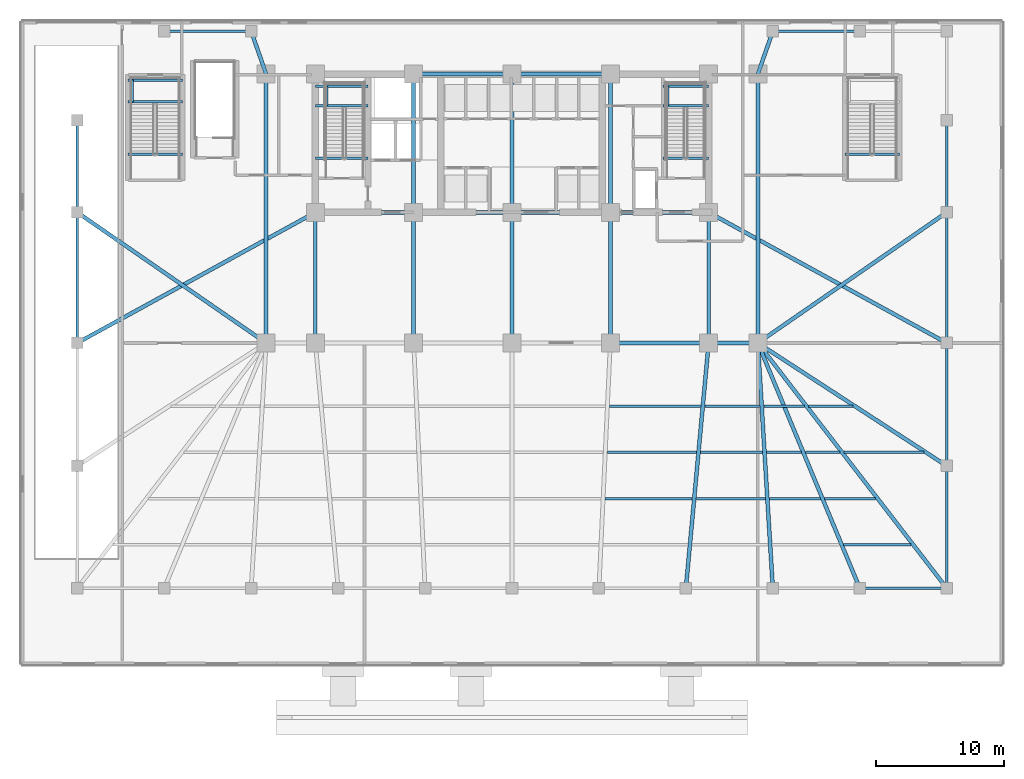
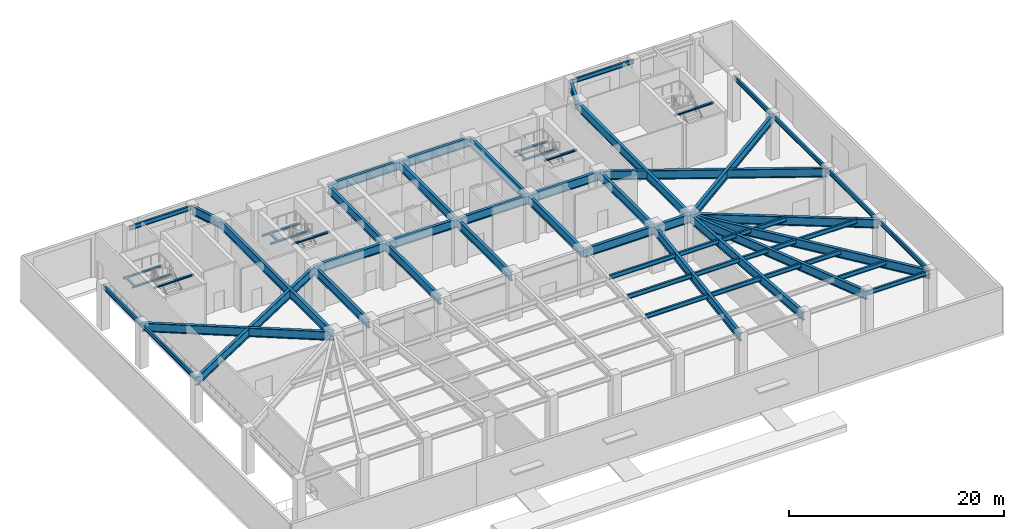
# One storey, part 2 of 15: 65 beams.
"""IFC4 building model written with IfcOpenShell, lengths in metres."""

from ifc_helpers import new_model, si_unit, direction, frame, origin, origin_2d, place, context, subcontext, project, spatial, i_section, extrude, material, material_profile, profile_set, type_object, element, save


model = new_model("IFC4")

# Units and contexts
model_context = context("Model", 3, precision=1e-05, world=origin(), true_north=direction((0.0, 1.0)))
body_context = subcontext(model_context, "Body", "Model", "MODEL_VIEW")
ifc_project = project(units=[si_unit("LENGTHUNIT", "METRE"), si_unit("AREAUNIT", "SQUARE_METRE"), si_unit("VOLUMEUNIT", "CUBIC_METRE"), si_unit("PLANEANGLEUNIT", "RADIAN"), si_unit("MASSUNIT", "GRAM", prefix="KILO")], contexts=[model_context])

# Site, building, storey
site_placement = place(None, origin())
site = spatial("IfcSite", under=ifc_project, at=site_placement, CompositionType="ELEMENT")
building_placement = place(site_placement, origin())
building = spatial("IfcBuilding", under=site, at=building_placement, Name="Yelkora Congress Tower", CompositionType="ELEMENT")
storey_placement = place(building_placement, origin())
storey = spatial("IfcBuildingStorey", under=building, at=storey_placement, Name="L00", CompositionType="ELEMENT", Elevation=0.0)

# Beams
ifc_material_1 = material(Name="Steel S460M", Category="steel")
ifc_material_profile_1 = material_profile(ifc_material_1, i_section(OverallWidth=0.300048828125, OverallDepth=1.0, WebThickness=0.01904296875, FlangeThickness=0.035888671875, FilletRadius=0.030029296875, at=origin_2d()), Name="HEB 1000")
ifc_profile_set_1 = profile_set([ifc_material_profile_1], Name="Steel S460M")
beam_type_1 = type_object("IfcBeamType", Name="BM-HALL-HEB1000", PredefinedType="BEAM", material=ifc_profile_set_1)
beam_1_placement = place(storey_placement, frame((46.080078125, 25.199951171875, 4.43994140625), z_axis=(1.0, 0.0, 0.0), x_axis=(0.0, 1.0, 0.0)))
element("IfcBeam", 1, at=beam_1_placement, inside=storey, type_object=beam_type_1, Name="L00 Spine Grid D Girder 5", PredefinedType="BEAM", context=body_context, shape_type="SweptSolid", body=[
    extrude(i_section(OverallWidth=0.300048828125, OverallDepth=1.0, WebThickness=0.01904296875, FlangeThickness=0.035888671875, FilletRadius=0.030029296875, at=origin_2d()), origin(), (0.0, 0.0, 1.0), 7.679931640625),
])
beam_2_placement = place(storey_placement, frame((53.760009765625, 25.199951171875, 4.43994140625), z_axis=(1.0, 0.0, 0.0), x_axis=(0.0, 1.0, 0.0)))
element("IfcBeam", 2, at=beam_2_placement, inside=storey, type_object=beam_type_1, Name="L00 Spine Grid D Girder 6", PredefinedType="BEAM", context=body_context, shape_type="SweptSolid", body=[
    extrude(i_section(OverallWidth=0.300048828125, OverallDepth=1.0, WebThickness=0.01904296875, FlangeThickness=0.035888671875, FilletRadius=0.030029296875, at=origin_2d()), origin(), (0.0, 0.0, 1.0), 3.840087890625),
])
beam_3_placement = place(storey_placement, frame((30.719970703125, 46.199951171875, 4.43994140625), z_axis=(1.0, 0.0, 0.0), x_axis=(0.0, 1.0, 0.0)))
element("IfcBeam", 3, at=beam_3_placement, inside=storey, type_object=beam_type_1, Name="L00 Core North Girder 3", PredefinedType="BEAM", context=body_context, shape_type="SweptSolid", body=[
    extrude(i_section(OverallWidth=0.300048828125, OverallDepth=1.0, WebThickness=0.01904296875, FlangeThickness=0.035888671875, FilletRadius=0.030029296875, at=origin_2d()), origin(), (0.0, 0.0, 1.0), 7.679931640625),
])
beam_4_placement = place(storey_placement, frame((38.39990234375, 46.199951171875, 4.43994140625), z_axis=(1.0, 0.0, 0.0), x_axis=(0.0, 1.0, 0.0)))
element("IfcBeam", 4, at=beam_4_placement, inside=storey, type_object=beam_type_1, Name="L00 Core North Girder 4", PredefinedType="BEAM", context=body_context, shape_type="SweptSolid", body=[
    extrude(i_section(OverallWidth=0.300048828125, OverallDepth=1.0, WebThickness=0.01904296875, FlangeThickness=0.035888671875, FilletRadius=0.030029296875, at=origin_2d()), origin(), (0.0, 0.0, 1.0), 7.68017578125),
])
for number, where, z_axis, x_axis, name in (
    (5, (23.0400390625, 35.39990234375, 4.43994140625), (1.0, 0.0, 0.0), (0.0, 1.0, 0.0), "L00 Core South Girder 1"),
    (6, (30.719970703125, 35.39990234375, 4.43994140625), (1.0, 0.0, 0.0), (0.0, 1.0, 0.0), "L00 Core South Girder 2"),
):
    element("IfcBeam", number, at=place(storey_placement, frame(where, z_axis=z_axis, x_axis=x_axis)), inside=storey, type_object=beam_type_1, Name=name, PredefinedType="BEAM", context=body_context, shape_type="SweptSolid", body=[
        extrude(i_section(OverallWidth=0.300048828125, OverallDepth=1.0, WebThickness=0.01904296875, FlangeThickness=0.035888671875, FilletRadius=0.030029296875, at=origin_2d()), origin(), (0.0, 0.0, 1.0), 7.679931640625),
    ])
beam_5_placement = place(storey_placement, frame((38.39990234375, 35.39990234375, 4.43994140625), z_axis=(1.0, 0.0, 0.0), x_axis=(0.0, 1.0, 0.0)))
element("IfcBeam", 7, at=beam_5_placement, inside=storey, type_object=beam_type_1, Name="L00 Core South Girder 3", PredefinedType="BEAM", context=body_context, shape_type="SweptSolid", body=[
    extrude(i_section(OverallWidth=0.300048828125, OverallDepth=1.0, WebThickness=0.01904296875, FlangeThickness=0.035888671875, FilletRadius=0.030029296875, at=origin_2d()), origin(), (0.0, 0.0, 1.0), 7.68017578125),
])
beam_6_placement = place(storey_placement, frame((46.080078125, 35.39990234375, 4.43994140625), z_axis=(1.0, 0.0, 0.0), x_axis=(0.0, 1.0, 0.0)))
element("IfcBeam", 8, at=beam_6_placement, inside=storey, type_object=beam_type_1, Name="L00 Core South Girder 4", PredefinedType="BEAM", context=body_context, shape_type="SweptSolid", body=[
    extrude(i_section(OverallWidth=0.300048828125, OverallDepth=1.0, WebThickness=0.01904296875, FlangeThickness=0.035888671875, FilletRadius=0.030029296875, at=origin_2d()), origin(), (0.0, 0.0, 1.0), 7.679931640625),
])
for number, where, z_axis, x_axis, name in (
    (9, (23.0400390625, 25.199951171875, 4.43994140625), (0.0, 1.0, 0.0), (-1.0, 0.0, 0.0), "L00 Core Tie Girder MC-D1"),
    (10, (30.719970703125, 25.199951171875, 4.43994140625), (0.0, 1.0, 0.0), (-1.0, 0.0, 0.0), "L00 Core Tie Girder MC-D2"),
):
    element("IfcBeam", number, at=place(storey_placement, frame(where, z_axis=z_axis, x_axis=x_axis)), inside=storey, type_object=beam_type_1, Name=name, PredefinedType="BEAM", context=body_context, shape_type="SweptSolid", body=[
        extrude(i_section(OverallWidth=0.300048828125, OverallDepth=1.0, WebThickness=0.01904296875, FlangeThickness=0.035888671875, FilletRadius=0.030029296875, at=origin_2d()), origin(), (0.0, 0.0, 1.0), 10.199951171875),
    ])
beam_7_placement = place(storey_placement, frame((30.719970703125, 35.39990234375, 4.43994140625), z_axis=(0.0, 1.0, 0.0), x_axis=(-1.0, 0.0, 0.0)))
element("IfcBeam", 11, at=beam_7_placement, inside=storey, type_object=beam_type_1, Name="L00 Core Tie Girder MC-S2", PredefinedType="BEAM", context=body_context, shape_type="SweptSolid", body=[
    extrude(i_section(OverallWidth=0.300048828125, OverallDepth=1.0, WebThickness=0.01904296875, FlangeThickness=0.035888671875, FilletRadius=0.030029296875, at=origin_2d()), origin(), (0.0, 0.0, 1.0), 10.800048828125),
])
beam_8_placement = place(storey_placement, frame((38.39990234375, 25.199951171875, 4.43994140625), z_axis=(0.0, 1.0, 0.0), x_axis=(-1.0, 0.0, 0.0)))
element("IfcBeam", 12, at=beam_8_placement, inside=storey, type_object=beam_type_1, Name="L00 Core Tie Girder MC-D3", PredefinedType="BEAM", context=body_context, shape_type="SweptSolid", body=[
    extrude(i_section(OverallWidth=0.300048828125, OverallDepth=1.0, WebThickness=0.01904296875, FlangeThickness=0.035888671875, FilletRadius=0.030029296875, at=origin_2d()), origin(), (0.0, 0.0, 1.0), 10.199951171875),
])
beam_9_placement = place(storey_placement, frame((38.39990234375, 35.39990234375, 4.43994140625), z_axis=(0.0, 1.0, 0.0), x_axis=(-1.0, 0.0, 0.0)))
element("IfcBeam", 13, at=beam_9_placement, inside=storey, type_object=beam_type_1, Name="L00 Core Tie Girder MC-S3", PredefinedType="BEAM", context=body_context, shape_type="SweptSolid", body=[
    extrude(i_section(OverallWidth=0.300048828125, OverallDepth=1.0, WebThickness=0.01904296875, FlangeThickness=0.035888671875, FilletRadius=0.030029296875, at=origin_2d()), origin(), (0.0, 0.0, 1.0), 10.800048828125),
])
beam_10_placement = place(storey_placement, frame((46.080078125, 25.199951171875, 4.43994140625), z_axis=(0.0, 1.0, 0.0), x_axis=(-1.0, 0.0, 0.0)))
element("IfcBeam", 14, at=beam_10_placement, inside=storey, type_object=beam_type_1, Name="L00 Core Tie Girder MC-D4", PredefinedType="BEAM", context=body_context, shape_type="SweptSolid", body=[
    extrude(i_section(OverallWidth=0.300048828125, OverallDepth=1.0, WebThickness=0.01904296875, FlangeThickness=0.035888671875, FilletRadius=0.030029296875, at=origin_2d()), origin(), (0.0, 0.0, 1.0), 10.199951171875),
])
beam_11_placement = place(storey_placement, frame((46.080078125, 35.39990234375, 4.43994140625), z_axis=(0.0, 1.0, 0.0), x_axis=(-1.0, 0.0, 0.0)))
element("IfcBeam", 15, at=beam_11_placement, inside=storey, type_object=beam_type_1, Name="L00 Core Tie Girder MC-S4", PredefinedType="BEAM", context=body_context, shape_type="SweptSolid", body=[
    extrude(i_section(OverallWidth=0.300048828125, OverallDepth=1.0, WebThickness=0.01904296875, FlangeThickness=0.035888671875, FilletRadius=0.030029296875, at=origin_2d()), origin(), (0.0, 0.0, 1.0), 10.800048828125),
])
beam_12_placement = place(storey_placement, frame((53.760009765625, 25.199951171875, 4.43994140625), z_axis=(0.0, 1.0, 0.0), x_axis=(-1.0, 0.0, 0.0)))
element("IfcBeam", 16, at=beam_12_placement, inside=storey, type_object=beam_type_1, Name="L00 Core Tie Girder MC-D5", PredefinedType="BEAM", context=body_context, shape_type="SweptSolid", body=[
    extrude(i_section(OverallWidth=0.300048828125, OverallDepth=1.0, WebThickness=0.01904296875, FlangeThickness=0.035888671875, FilletRadius=0.030029296875, at=origin_2d()), origin(), (0.0, 0.0, 1.0), 10.199951171875),
])
for number, where, z_axis, x_axis, name in (
    (17, (19.199951171875, 25.199951171875, 4.43994140625), (0.0, 1.0, 0.0), (-1.0, 0.0, 0.0), "L00 Neck Flank Girder MC-F1"),
    (18, (57.60009765625, 25.199951171875, 4.43994140625), (0.0, 1.0, 0.0), (-1.0, 0.0, 0.0), "L00 Neck Flank Girder MC-F2"),
):
    element("IfcBeam", number, at=place(storey_placement, frame(where, z_axis=z_axis, x_axis=x_axis)), inside=storey, type_object=beam_type_1, Name=name, PredefinedType="BEAM", context=body_context, shape_type="SweptSolid", body=[
        extrude(i_section(OverallWidth=0.300048828125, OverallDepth=1.0, WebThickness=0.01904296875, FlangeThickness=0.035888671875, FilletRadius=0.030029296875, at=origin_2d()), origin(), (0.0, 0.0, 1.0), 21.0),
    ])
beam_13_placement = place(storey_placement, frame((18.030029296875, 49.550048828125, 4.43994140625), z_axis=(0.329694513381, -0.944087669577, 0.0), x_axis=(0.944087669577, 0.329694513381, 0.0)))
element("IfcBeam", 19, at=beam_13_placement, inside=storey, type_object=beam_type_1, Name="L00 Primary Frame Girder PN03", PredefinedType="BEAM", context=body_context, shape_type="SweptSolid", body=[
    extrude(i_section(OverallWidth=0.300048828125, OverallDepth=1.0, WebThickness=0.01904296875, FlangeThickness=0.035888671875, FilletRadius=0.030029296875, at=origin_2d()), origin(), (0.0, 0.0, 1.0), 3.548583984375),
])
beam_14_placement = place(storey_placement, frame((51.97998046875, 6.050048828125, 4.43994140625), z_axis=(0.092553417869, 0.995707720589, 0.0), x_axis=(-0.995707720589, 0.092553417869, 0.0)))
element("IfcBeam", 20, at=beam_14_placement, inside=storey, type_object=beam_type_1, Name="L00 Primary Frame Girder PS08", PredefinedType="BEAM", context=body_context, shape_type="SweptSolid", body=[
    extrude(i_section(OverallWidth=0.300048828125, OverallDepth=1.0, WebThickness=0.01904296875, FlangeThickness=0.035888671875, FilletRadius=0.030029296875, at=origin_2d()), origin(), (0.0, 0.0, 1.0), 19.232421875),
])
beam_15_placement = place(storey_placement, frame((58.77001953125, 6.050048828125, 4.43994140625), z_axis=(-0.060979146345, 0.99813904027, 0.0), x_axis=(-0.99813904027, -0.060979146345, 0.0)))
element("IfcBeam", 21, at=beam_15_placement, inside=storey, type_object=beam_type_1, Name="L00 Primary Frame Girder PS09", PredefinedType="BEAM", context=body_context, shape_type="SweptSolid", body=[
    extrude(i_section(OverallWidth=0.300048828125, OverallDepth=1.0, WebThickness=0.01904296875, FlangeThickness=0.035888671875, FilletRadius=0.030029296875, at=origin_2d()), origin(), (0.0, 0.0, 1.0), 19.185546875),
])
beam_16_placement = place(storey_placement, frame((58.77001953125, 49.550048828125, 4.43994140625), z_axis=(-0.329694513381, -0.944087669577, 0.0), x_axis=(0.944087669577, -0.329694513381, 0.0)))
element("IfcBeam", 22, at=beam_16_placement, inside=storey, type_object=beam_type_1, Name="L00 Primary Frame Girder PN09", PredefinedType="BEAM", context=body_context, shape_type="SweptSolid", body=[
    extrude(i_section(OverallWidth=0.300048828125, OverallDepth=1.0, WebThickness=0.01904296875, FlangeThickness=0.035888671875, FilletRadius=0.030029296875, at=origin_2d()), origin(), (0.0, 0.0, 1.0), 3.548583984375),
])
beam_17_placement = place(storey_placement, frame((65.56005859375, 6.050048828125, 4.43994140625), z_axis=(-0.383827816401, 0.923404682334, 0.0), x_axis=(-0.923404682334, -0.383827816401, 0.0)))
element("IfcBeam", 23, at=beam_17_placement, inside=storey, type_object=beam_type_1, Name="L00 Primary Frame Girder PS10", PredefinedType="BEAM", context=body_context, shape_type="SweptSolid", body=[
    extrude(i_section(OverallWidth=0.300048828125, OverallDepth=1.0, WebThickness=0.01904296875, FlangeThickness=0.035888671875, FilletRadius=0.030029296875, at=origin_2d()), origin(), (0.0, 0.0, 1.0), 20.73828125),
])
beam_18_placement = place(storey_placement, frame((72.35009765625, 6.050048828125, 4.43994140625), z_axis=(-0.610212418574, 0.792237845737, 0.0), x_axis=(-0.792237845737, -0.610212418574, 0.0)))
element("IfcBeam", 24, at=beam_18_placement, inside=storey, type_object=beam_type_1, Name="L00 Primary Frame Girder PS11", PredefinedType="BEAM", context=body_context, shape_type="SweptSolid", body=[
    extrude(i_section(OverallWidth=0.300048828125, OverallDepth=1.0, WebThickness=0.01904296875, FlangeThickness=0.035888671875, FilletRadius=0.030029296875, at=origin_2d()), origin(), (0.0, 0.0, 1.0), 24.171875),
])
beam_19_placement = place(storey_placement, frame((72.35009765625, 15.60009765625, 4.43994140625), z_axis=(-0.83812272066, 0.545481718404, 0.0), x_axis=(-0.545481718404, -0.83812272066, 0.0)))
element("IfcBeam", 25, at=beam_19_placement, inside=storey, type_object=beam_type_1, Name="L00 Primary Frame Girder PE1", PredefinedType="BEAM", context=body_context, shape_type="SweptSolid", body=[
    extrude(i_section(OverallWidth=0.300048828125, OverallDepth=1.0, WebThickness=0.01904296875, FlangeThickness=0.035888671875, FilletRadius=0.030029296875, at=origin_2d()), origin(), (0.0, 0.0, 1.0), 17.598876953125),
])
for number, where, z_axis, x_axis, name in (
    (26, (4.449951171875, 25.199951171875, 4.43994140625), (0.876705282536, 0.48102790727, 0.0), (-0.48102790727, 0.876705282536, 0.0), "L00 Primary Frame Girder PW2"),
    (27, (72.35009765625, 25.199951171875, 4.43994140625), (-0.876705282536, 0.48102790727, 0.0), (-0.48102790727, -0.876705282536, 0.0), "L00 Primary Frame Girder PE2"),
):
    element("IfcBeam", number, at=place(storey_placement, frame(where, z_axis=z_axis, x_axis=x_axis)), inside=storey, type_object=beam_type_1, Name=name, PredefinedType="BEAM", context=body_context, shape_type="SweptSolid", body=[
        extrude(i_section(OverallWidth=0.300048828125, OverallDepth=1.0, WebThickness=0.01904296875, FlangeThickness=0.035888671875, FilletRadius=0.030029296875, at=origin_2d()), origin(), (0.0, 0.0, 1.0), 21.20458984375),
    ])
for number, where, z_axis, x_axis, name in (
    (28, (4.449951171875, 35.39990234375, 4.43994140625), (0.822494466498, -0.568773111689, 0.0), (0.568773111689, 0.822494466498, 0.0), "L00 Primary Frame Girder PW3"),
    (29, (72.35009765625, 35.39990234375, 4.43994140625), (-0.822494466498, -0.568773111689, 0.0), (0.568773111689, -0.822494466498, 0.0), "L00 Primary Frame Girder PE3"),
):
    element("IfcBeam", number, at=place(storey_placement, frame(where, z_axis=z_axis, x_axis=x_axis)), inside=storey, type_object=beam_type_1, Name=name, PredefinedType="BEAM", context=body_context, shape_type="SweptSolid", body=[
        extrude(i_section(OverallWidth=0.300048828125, OverallDepth=1.0, WebThickness=0.01904296875, FlangeThickness=0.035888671875, FilletRadius=0.030029296875, at=origin_2d()), origin(), (0.0, 0.0, 1.0), 17.933349609375),
    ])
ifc_material_2 = material(Name="Steel S355J2", Category="steel")
ifc_material_profile_2 = material_profile(ifc_material_2, i_section(OverallWidth=0.199951171875, OverallDepth=0.5, WebThickness=0.01025390625, FlangeThickness=0.01611328125, FilletRadius=0.02099609375, at=origin_2d()), Name="IPE 500")
ifc_profile_set_2 = profile_set([ifc_material_profile_2], Name="Steel S355J2")
beam_type_2 = type_object("IfcBeamType", Name="BM-JOIST-IPE500", PredefinedType="JOIST", material=ifc_profile_set_2)
beam_20_placement = place(storey_placement, frame((64.306640625, 9.449951171875, 4.68994140625), z_axis=(1.0, 0.0, 0.0), x_axis=(0.0, 1.0, 0.0)))
element("IfcBeam", 30, at=beam_20_placement, inside=storey, type_object=beam_type_2, Name="L00 Composite Floor Joist 10", PredefinedType="JOIST", context=body_context, shape_type="SweptSolid", body=[
    extrude(i_section(OverallWidth=0.199951171875, OverallDepth=0.5, WebThickness=0.01025390625, FlangeThickness=0.01611328125, FilletRadius=0.02099609375, at=origin_2d()), origin(), (0.0, 0.0, 1.0), 5.2646484375),
])
beam_21_placement = place(storey_placement, frame((45.67529296875, 13.050048828125, 4.68994140625), z_axis=(1.0, 0.0, 0.0), x_axis=(0.0, 1.0, 0.0)))
element("IfcBeam", 31, at=beam_21_placement, inside=storey, type_object=beam_type_2, Name="L00 Composite Floor Joist 17", PredefinedType="JOIST", context=body_context, shape_type="SweptSolid", body=[
    extrude(i_section(OverallWidth=0.199951171875, OverallDepth=0.5, WebThickness=0.01025390625, FlangeThickness=0.01611328125, FilletRadius=0.02099609375, at=origin_2d()), origin(), (0.0, 0.0, 1.0), 6.79541015625),
])
beam_22_placement = place(storey_placement, frame((52.790771484375, 13.050048828125, 4.68994140625), z_axis=(1.0, 0.0, 0.0), x_axis=(0.0, 1.0, 0.0)))
element("IfcBeam", 32, at=beam_22_placement, inside=storey, type_object=beam_type_2, Name="L00 Composite Floor Joist 18", PredefinedType="JOIST", context=body_context, shape_type="SweptSolid", body=[
    extrude(i_section(OverallWidth=0.199951171875, OverallDepth=0.5, WebThickness=0.01025390625, FlangeThickness=0.01611328125, FilletRadius=0.02099609375, at=origin_2d()), origin(), (0.0, 0.0, 1.0), 5.3916015625),
])
for number, where, z_axis, x_axis, name in (
    (33, (58.502197265625, 13.050048828125, 4.68994140625), (1.0, 0.0, 0.0), (0.0, 1.0, 0.0), "L00 Composite Floor Joist 19"),
    (34, (62.810302734375, 13.050048828125, 4.68994140625), (1.0, 0.0, 0.0), (0.0, 1.0, 0.0), "L00 Composite Floor Joist 20"),
):
    element("IfcBeam", number, at=place(storey_placement, frame(where, z_axis=z_axis, x_axis=x_axis)), inside=storey, type_object=beam_type_2, Name=name, PredefinedType="JOIST", context=body_context, shape_type="SweptSolid", body=[
        extrude(i_section(OverallWidth=0.199951171875, OverallDepth=0.5, WebThickness=0.01025390625, FlangeThickness=0.01611328125, FilletRadius=0.02099609375, at=origin_2d()), origin(), (0.0, 0.0, 1.0), 3.988037109375),
    ])
beam_23_placement = place(storey_placement, frame((45.842529296875, 16.64990234375, 4.68994140625), z_axis=(1.0, 0.0, 0.0), x_axis=(0.0, 1.0, 0.0)))
element("IfcBeam", 35, at=beam_23_placement, inside=storey, type_object=beam_type_2, Name="L00 Composite Floor Joist 27", PredefinedType="JOIST", context=body_context, shape_type="SweptSolid", body=[
    extrude(i_section(OverallWidth=0.199951171875, OverallDepth=0.5, WebThickness=0.01025390625, FlangeThickness=0.01611328125, FilletRadius=0.02099609375, at=origin_2d()), origin(), (0.0, 0.0, 1.0), 6.962890625),
])
beam_24_placement = place(storey_placement, frame((53.125244140625, 16.64990234375, 4.68994140625), z_axis=(1.0, 0.0, 0.0), x_axis=(0.0, 1.0, 0.0)))
element("IfcBeam", 36, at=beam_24_placement, inside=storey, type_object=beam_type_2, Name="L00 Composite Floor Joist 28", PredefinedType="JOIST", context=body_context, shape_type="SweptSolid", body=[
    extrude(i_section(OverallWidth=0.199951171875, OverallDepth=0.5, WebThickness=0.01025390625, FlangeThickness=0.01611328125, FilletRadius=0.02099609375, at=origin_2d()), origin(), (0.0, 0.0, 1.0), 4.837158203125),
])
for number, where, z_axis, x_axis, name in (
    (37, (58.282470703125, 16.64990234375, 4.68994140625), (1.0, 0.0, 0.0), (0.0, 1.0, 0.0), "L00 Composite Floor Joist 29"),
    (38, (61.31396484375, 16.64990234375, 4.68994140625), (1.0, 0.0, 0.0), (0.0, 1.0, 0.0), "L00 Composite Floor Joist 30"),
):
    element("IfcBeam", number, at=place(storey_placement, frame(where, z_axis=z_axis, x_axis=x_axis)), inside=storey, type_object=beam_type_2, Name=name, PredefinedType="JOIST", context=body_context, shape_type="SweptSolid", body=[
        extrude(i_section(OverallWidth=0.199951171875, OverallDepth=0.5, WebThickness=0.01025390625, FlangeThickness=0.01611328125, FilletRadius=0.02099609375, at=origin_2d()), origin(), (0.0, 0.0, 1.0), 2.71142578125),
    ])
beam_25_placement = place(storey_placement, frame((64.345458984375, 16.64990234375, 4.68994140625), z_axis=(1.0, 0.0, 0.0), x_axis=(0.0, 1.0, 0.0)))
element("IfcBeam", 39, at=beam_25_placement, inside=storey, type_object=beam_type_2, Name="L00 Composite Floor Joist 31", PredefinedType="JOIST", context=body_context, shape_type="SweptSolid", body=[
    extrude(i_section(OverallWidth=0.199951171875, OverallDepth=0.5, WebThickness=0.01025390625, FlangeThickness=0.01611328125, FilletRadius=0.02099609375, at=origin_2d()), origin(), (0.0, 0.0, 1.0), 6.231201171875),
])
beam_26_placement = place(storey_placement, frame((46.010009765625, 20.25, 4.68994140625), z_axis=(1.0, 0.0, 0.0), x_axis=(0.0, 1.0, 0.0)))
element("IfcBeam", 40, at=beam_26_placement, inside=storey, type_object=beam_type_2, Name="L00 Composite Floor Joist 38", PredefinedType="JOIST", context=body_context, shape_type="SweptSolid", body=[
    extrude(i_section(OverallWidth=0.199951171875, OverallDepth=0.5, WebThickness=0.01025390625, FlangeThickness=0.01611328125, FilletRadius=0.02099609375, at=origin_2d()), origin(), (0.0, 0.0, 1.0), 7.1298828125),
])
beam_27_placement = place(storey_placement, frame((53.4599609375, 20.25, 4.68994140625), z_axis=(1.0, 0.0, 0.0), x_axis=(0.0, 1.0, 0.0)))
element("IfcBeam", 41, at=beam_27_placement, inside=storey, type_object=beam_type_2, Name="L00 Composite Floor Joist 39", PredefinedType="JOIST", context=body_context, shape_type="SweptSolid", body=[
    extrude(i_section(OverallWidth=0.199951171875, OverallDepth=0.5, WebThickness=0.01025390625, FlangeThickness=0.01611328125, FilletRadius=0.02099609375, at=origin_2d()), origin(), (0.0, 0.0, 1.0), 4.282470703125),
])
beam_28_placement = place(storey_placement, frame((58.0625, 20.25, 4.68994140625), z_axis=(1.0, 0.0, 0.0), x_axis=(0.0, 1.0, 0.0)))
element("IfcBeam", 42, at=beam_28_placement, inside=storey, type_object=beam_type_2, Name="L00 Composite Floor Joist 40", PredefinedType="JOIST", context=body_context, shape_type="SweptSolid", body=[
    extrude(i_section(OverallWidth=0.199951171875, OverallDepth=0.5, WebThickness=0.01025390625, FlangeThickness=0.01611328125, FilletRadius=0.02099609375, at=origin_2d()), origin(), (0.0, 0.0, 1.0), 3.190185546875),
])
beam_29_placement = place(storey_placement, frame((61.57275390625, 20.25, 4.68994140625), z_axis=(1.0, 0.0, 0.0), x_axis=(0.0, 1.0, 0.0)))
element("IfcBeam", 43, at=beam_29_placement, inside=storey, type_object=beam_type_2, Name="L00 Composite Floor Joist 41", PredefinedType="JOIST", context=body_context, shape_type="SweptSolid", body=[
    extrude(i_section(OverallWidth=0.199951171875, OverallDepth=0.5, WebThickness=0.01025390625, FlangeThickness=0.01611328125, FilletRadius=0.02099609375, at=origin_2d()), origin(), (0.0, 0.0, 1.0), 3.47265625),
])
ifc_material_profile_3 = material_profile(ifc_material_2, i_section(OverallWidth=0.199951171875, OverallDepth=0.18994140625, WebThickness=0.006591796875, FlangeThickness=0.010009765625, FilletRadius=0.01806640625, at=origin_2d()), Name="HEA 200")
ifc_profile_set_3 = profile_set([ifc_material_profile_3], Name="Steel S355J2")
beam_type_3 = type_object("IfcBeamType", Name="BM-LAND-HEA200", PredefinedType="BEAM", material=ifc_profile_set_3)
for number, where, z_axis, x_axis, name in (
    (44, (23.0400390625, 43.739990234375, 2.28466796875), (1.0, 0.0, 0.0), (0.0, 1.0, 0.0), "ST-01 L00 Landing Header Beam 1S"),
    (45, (23.0400390625, 45.25, 2.28466796875), (1.0, 0.0, 0.0), (0.0, 1.0, 0.0), "ST-01 L00 Landing Header Beam 1N"),
):
    element("IfcBeam", number, at=place(storey_placement, frame(where, z_axis=z_axis, x_axis=x_axis)), inside=storey, type_object=beam_type_3, Name=name, PredefinedType="BEAM", context=body_context, shape_type="SweptSolid", body=[
        extrude(i_section(OverallWidth=0.199951171875, OverallDepth=0.18994140625, WebThickness=0.006591796875, FlangeThickness=0.010009765625, FilletRadius=0.01806640625, at=origin_2d()), origin(), (0.0, 0.0, 1.0), 4.10986328125),
    ])
beam_30_placement = place(storey_placement, frame((23.93994140625, 43.739990234375, 2.28466796875), z_axis=(0.0, 1.0, 0.0), x_axis=(-1.0, 0.0, 0.0)))
element("IfcBeam", 46, at=beam_30_placement, inside=storey, type_object=beam_type_3, Name="ST-01 L00 Landing Trimmer Beam 1M", PredefinedType="BEAM", context=body_context, shape_type="SweptSolid", body=[
    extrude(i_section(OverallWidth=0.199951171875, OverallDepth=0.18994140625, WebThickness=0.006591796875, FlangeThickness=0.010009765625, FilletRadius=0.01806640625, at=origin_2d()), origin(), (0.0, 0.0, 1.0), 1.510009765625),
])
beam_31_placement = place(storey_placement, frame((23.0400390625, 39.639892578125, 4.7431640625), z_axis=(1.0, 0.0, 0.0), x_axis=(0.0, 1.0, 0.0)))
element("IfcBeam", 47, at=beam_31_placement, inside=storey, type_object=beam_type_3, Name="ST-01 L00 Floor Arrival Stringer Header Beam", PredefinedType="BEAM", context=body_context, shape_type="SweptSolid", body=[
    extrude(i_section(OverallWidth=0.199951171875, OverallDepth=0.18994140625, WebThickness=0.006591796875, FlangeThickness=0.010009765625, FilletRadius=0.01806640625, at=origin_2d()), origin(), (0.0, 0.0, 1.0), 4.10986328125),
])
for number, where, z_axis, x_axis, name in (
    (48, (50.179931640625, 43.739990234375, 2.28466796875), (1.0, 0.0, 0.0), (0.0, 1.0, 0.0), "ST-02 L00 Landing Header Beam 1S"),
    (49, (50.179931640625, 45.25, 2.28466796875), (1.0, 0.0, 0.0), (0.0, 1.0, 0.0), "ST-02 L00 Landing Header Beam 1N"),
):
    element("IfcBeam", number, at=place(storey_placement, frame(where, z_axis=z_axis, x_axis=x_axis)), inside=storey, type_object=beam_type_3, Name=name, PredefinedType="BEAM", context=body_context, shape_type="SweptSolid", body=[
        extrude(i_section(OverallWidth=0.199951171875, OverallDepth=0.18994140625, WebThickness=0.006591796875, FlangeThickness=0.010009765625, FilletRadius=0.01806640625, at=origin_2d()), origin(), (0.0, 0.0, 1.0), 3.580078125),
    ])
beam_32_placement = place(storey_placement, frame((50.580078125, 43.739990234375, 2.28466796875), z_axis=(0.0, 1.0, 0.0), x_axis=(-1.0, 0.0, 0.0)))
element("IfcBeam", 50, at=beam_32_placement, inside=storey, type_object=beam_type_3, Name="ST-02 L00 Landing Trimmer Beam 1M", PredefinedType="BEAM", context=body_context, shape_type="SweptSolid", body=[
    extrude(i_section(OverallWidth=0.199951171875, OverallDepth=0.18994140625, WebThickness=0.006591796875, FlangeThickness=0.010009765625, FilletRadius=0.01806640625, at=origin_2d()), origin(), (0.0, 0.0, 1.0), 1.510009765625),
])
beam_33_placement = place(storey_placement, frame((50.179931640625, 39.639892578125, 4.7431640625), z_axis=(1.0, 0.0, 0.0), x_axis=(0.0, 1.0, 0.0)))
element("IfcBeam", 51, at=beam_33_placement, inside=storey, type_object=beam_type_3, Name="ST-02 L00 Floor Arrival Stringer Header Beam", PredefinedType="BEAM", context=body_context, shape_type="SweptSolid", body=[
    extrude(i_section(OverallWidth=0.199951171875, OverallDepth=0.18994140625, WebThickness=0.006591796875, FlangeThickness=0.010009765625, FilletRadius=0.01806640625, at=origin_2d()), origin(), (0.0, 0.0, 1.0), 3.580078125),
])
for number, where, z_axis, x_axis, name in (
    (52, (8.39990234375, 44.0400390625, 2.28466796875), (1.0, 0.0, 0.0), (0.0, 1.0, 0.0), "ST-P1 L00 Landing Header Beam 1S"),
    (53, (8.39990234375, 45.72998046875, 2.28466796875), (1.0, 0.0, 0.0), (0.0, 1.0, 0.0), "ST-P1 L00 Landing Header Beam 1N"),
):
    element("IfcBeam", number, at=place(storey_placement, frame(where, z_axis=z_axis, x_axis=x_axis)), inside=storey, type_object=beam_type_3, Name=name, PredefinedType="BEAM", context=body_context, shape_type="SweptSolid", body=[
        extrude(i_section(OverallWidth=0.199951171875, OverallDepth=0.18994140625, WebThickness=0.006591796875, FlangeThickness=0.010009765625, FilletRadius=0.01806640625, at=origin_2d()), origin(), (0.0, 0.0, 1.0), 4.260009765625),
    ])
beam_34_placement = place(storey_placement, frame((8.719970703125, 44.0400390625, 2.28466796875), z_axis=(0.0, 1.0, 0.0), x_axis=(-1.0, 0.0, 0.0)))
element("IfcBeam", 54, at=beam_34_placement, inside=storey, type_object=beam_type_3, Name="ST-P1 L00 Landing Trimmer Beam 1M", PredefinedType="BEAM", context=body_context, shape_type="SweptSolid", body=[
    extrude(i_section(OverallWidth=0.199951171875, OverallDepth=0.18994140625, WebThickness=0.006591796875, FlangeThickness=0.010009765625, FilletRadius=0.01806640625, at=origin_2d()), origin(), (0.0, 0.0, 1.0), 1.68994140625),
])
for number, where, z_axis, x_axis, name in (
    (55, (8.39990234375, 39.93994140625, 4.7431640625), (1.0, 0.0, 0.0), (0.0, 1.0, 0.0), "ST-P1 L00 Floor Arrival Stringer Header Beam"),
    (56, (64.39990234375, 39.93994140625, 4.7431640625), (1.0, 0.0, 0.0), (0.0, 1.0, 0.0), "ST-P2 L00 Floor Arrival Stringer Header Beam"),
):
    element("IfcBeam", number, at=place(storey_placement, frame(where, z_axis=z_axis, x_axis=x_axis)), inside=storey, type_object=beam_type_3, Name=name, PredefinedType="BEAM", context=body_context, shape_type="SweptSolid", body=[
        extrude(i_section(OverallWidth=0.199951171875, OverallDepth=0.18994140625, WebThickness=0.006591796875, FlangeThickness=0.010009765625, FilletRadius=0.01806640625, at=origin_2d()), origin(), (0.0, 0.0, 1.0), 4.260009765625),
    ])
ifc_material_profile_4 = material_profile(ifc_material_2, i_section(OverallWidth=0.199951171875, OverallDepth=0.5, WebThickness=0.01025390625, FlangeThickness=0.01611328125, FilletRadius=0.02099609375, at=origin_2d()), Name="IPE 500")
ifc_profile_set_4 = profile_set([ifc_material_profile_4], Name="Steel S355J2")
beam_type_4 = type_object("IfcBeamType", Name="BM-SPAN-IPE500B", PredefinedType="BEAM", material=ifc_profile_set_4)
beam_35_placement = place(storey_placement, frame((65.56005859375, 6.050048828125, 4.68994140625), z_axis=(1.0, 0.0, 0.0), x_axis=(0.0, 1.0, 0.0)))
element("IfcBeam", 57, at=beam_35_placement, inside=storey, type_object=beam_type_4, Name="L00 Perimeter Beam 11", PredefinedType="BEAM", context=body_context, shape_type="SweptSolid", body=[
    extrude(i_section(OverallWidth=0.199951171875, OverallDepth=0.5, WebThickness=0.01025390625, FlangeThickness=0.01611328125, FilletRadius=0.02099609375, at=origin_2d()), origin(), (0.0, 0.0, 1.0), 6.7900390625),
])
beam_36_placement = place(storey_placement, frame((72.35009765625, 6.050048828125, 4.68994140625), z_axis=(0.0, 1.0, 0.0), x_axis=(-1.0, 0.0, 0.0)))
element("IfcBeam", 58, at=beam_36_placement, inside=storey, type_object=beam_type_4, Name="L00 Perimeter Beam 12", PredefinedType="BEAM", context=body_context, shape_type="SweptSolid", body=[
    extrude(i_section(OverallWidth=0.199951171875, OverallDepth=0.5, WebThickness=0.01025390625, FlangeThickness=0.01611328125, FilletRadius=0.02099609375, at=origin_2d()), origin(), (0.0, 0.0, 1.0), 9.550048828125),
])
beam_37_placement = place(storey_placement, frame((72.35009765625, 15.60009765625, 4.68994140625), z_axis=(0.0, 1.0, 0.0), x_axis=(-1.0, 0.0, 0.0)))
element("IfcBeam", 59, at=beam_37_placement, inside=storey, type_object=beam_type_4, Name="L00 Perimeter Beam 13", PredefinedType="BEAM", context=body_context, shape_type="SweptSolid", body=[
    extrude(i_section(OverallWidth=0.199951171875, OverallDepth=0.5, WebThickness=0.01025390625, FlangeThickness=0.01611328125, FilletRadius=0.02099609375, at=origin_2d()), origin(), (0.0, 0.0, 1.0), 9.599853515625),
])
beam_38_placement = place(storey_placement, frame((72.35009765625, 25.199951171875, 4.68994140625), z_axis=(0.0, 1.0, 0.0), x_axis=(-1.0, 0.0, 0.0)))
element("IfcBeam", 60, at=beam_38_placement, inside=storey, type_object=beam_type_4, Name="L00 Perimeter Beam 14", PredefinedType="BEAM", context=body_context, shape_type="SweptSolid", body=[
    extrude(i_section(OverallWidth=0.199951171875, OverallDepth=0.5, WebThickness=0.01025390625, FlangeThickness=0.01611328125, FilletRadius=0.02099609375, at=origin_2d()), origin(), (0.0, 0.0, 1.0), 10.199951171875),
])
beam_39_placement = place(storey_placement, frame((72.35009765625, 35.39990234375, 4.68994140625), z_axis=(0.0, 1.0, 0.0), x_axis=(-1.0, 0.0, 0.0)))
element("IfcBeam", 61, at=beam_39_placement, inside=storey, type_object=beam_type_4, Name="L00 Perimeter Beam 15", PredefinedType="BEAM", context=body_context, shape_type="SweptSolid", body=[
    extrude(i_section(OverallWidth=0.199951171875, OverallDepth=0.5, WebThickness=0.01025390625, FlangeThickness=0.01611328125, FilletRadius=0.02099609375, at=origin_2d()), origin(), (0.0, 0.0, 1.0), 7.2001953125),
])
for number, where, z_axis, x_axis, name in (
    (62, (65.56005859375, 49.550048828125, 4.68994140625), (-1.0, 0.0, 0.0), (0.0, -1.0, 0.0), "L00 Perimeter Beam 18"),
    (63, (18.030029296875, 49.550048828125, 4.68994140625), (-1.0, 0.0, 0.0), (0.0, -1.0, 0.0), "L00 Perimeter Beam 20"),
):
    element("IfcBeam", number, at=place(storey_placement, frame(where, z_axis=z_axis, x_axis=x_axis)), inside=storey, type_object=beam_type_4, Name=name, PredefinedType="BEAM", context=body_context, shape_type="SweptSolid", body=[
        extrude(i_section(OverallWidth=0.199951171875, OverallDepth=0.5, WebThickness=0.01025390625, FlangeThickness=0.01611328125, FilletRadius=0.02099609375, at=origin_2d()), origin(), (0.0, 0.0, 1.0), 6.7900390625),
    ])
beam_40_placement = place(storey_placement, frame((4.449951171875, 42.60009765625, 4.68994140625), z_axis=(0.0, -1.0, 0.0), x_axis=(1.0, 0.0, 0.0)))
element("IfcBeam", 64, at=beam_40_placement, inside=storey, type_object=beam_type_4, Name="L00 Perimeter Beam 22", PredefinedType="BEAM", context=body_context, shape_type="SweptSolid", body=[
    extrude(i_section(OverallWidth=0.199951171875, OverallDepth=0.5, WebThickness=0.01025390625, FlangeThickness=0.01611328125, FilletRadius=0.02099609375, at=origin_2d()), origin(), (0.0, 0.0, 1.0), 7.2001953125),
])
beam_41_placement = place(storey_placement, frame((4.449951171875, 35.39990234375, 4.68994140625), z_axis=(0.0, -1.0, 0.0), x_axis=(1.0, 0.0, 0.0)))
element("IfcBeam", 65, at=beam_41_placement, inside=storey, type_object=beam_type_4, Name="L00 Perimeter Beam 23", PredefinedType="BEAM", context=body_context, shape_type="SweptSolid", body=[
    extrude(i_section(OverallWidth=0.199951171875, OverallDepth=0.5, WebThickness=0.01025390625, FlangeThickness=0.01611328125, FilletRadius=0.02099609375, at=origin_2d()), origin(), (0.0, 0.0, 1.0), 10.199951171875),
])

save(model, "model.ifc")
